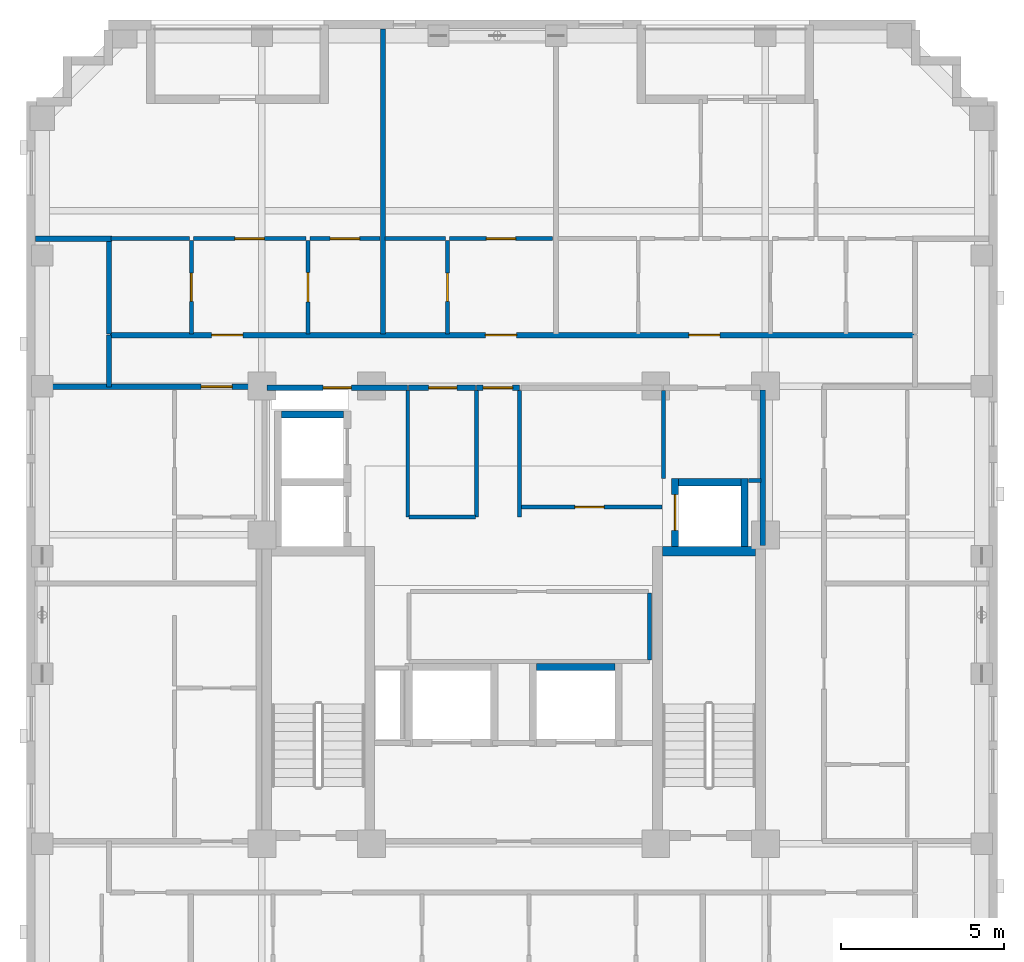
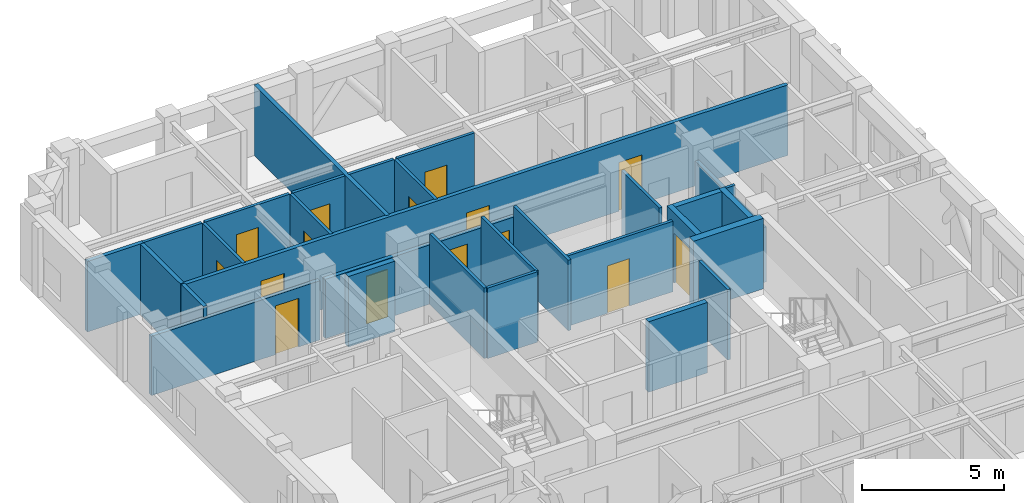
# One storey, part 5 of 11: 32 walls, 15 doors, 15 openings.
"""IFC4 building model written with IfcOpenShell, lengths in metres."""

from ifc_helpers import new_model, si_unit, derived_unit, direction, frame, frame_2d, origin, place, context, subcontext, project, spatial, rectangle, extrude, material, layer, layer_set, type_object, element, fill, save


model = new_model("IFC4")

# Units and contexts
model_context = context("Model", 3, precision=1e-05, world=origin(), true_north=direction((0.0, 1.0)))
body_context = subcontext(model_context, "Body", "Model", "MODEL_VIEW")
ifc_project = project(units=[si_unit("LENGTHUNIT", "METRE"), si_unit("AREAUNIT", "SQUARE_METRE"), si_unit("VOLUMEUNIT", "CUBIC_METRE"), si_unit("PLANEANGLEUNIT", "RADIAN"), si_unit("MASSUNIT", "GRAM", prefix="KILO"), derived_unit("THERMALTRANSMITTANCEUNIT", [(si_unit("MASSUNIT", "GRAM", prefix="KILO"), 1), (si_unit("TIMEUNIT", "SECOND"), -3), (si_unit("THERMODYNAMICTEMPERATUREUNIT", "KELVIN"), -1)])], contexts=[model_context])

# Site, building, storey
site_placement = place(None, origin())
site = spatial("IfcSite", under=ifc_project, at=site_placement, CompositionType="ELEMENT")
building_placement = place(site_placement, origin())
building = spatial("IfcBuilding", under=site, at=building_placement, Name="Korrvale Station Residences", CompositionType="ELEMENT")
storey_placement = place(building_placement, frame((0.0, 0.0, 187.60009765625)))
storey = spatial("IfcBuildingStorey", under=building, at=storey_placement, Name="L54", CompositionType="ELEMENT", Elevation=187.60009765625)

# Walls
ifc_material_1 = material(Name="Concrete C50/60", Category="concrete")
ifc_layer_1 = layer(ifc_material_1, 0.300048828125, Name="Concrete C50/60")
ifc_layer_set_1 = layer_set([ifc_layer_1], Name="Concrete C50/60")
wall_type_1 = type_object("IfcWallType", Name="WAL-CORE-300-C50", PredefinedType="SHEAR", material=ifc_layer_set_1)
wall_1_placement = place(storey_placement, frame((30.050048828125, 23.949951171875, 0.0), z_axis=(0.0, 0.0, 1.0), x_axis=(1.0, 0.0, 0.0)))
element("IfcWall", 1, at=wall_1_placement, inside=storey, type_object=wall_type_1, Name="L54 ST-2 Core Shear Wall North", PredefinedType="SHEAR", context=body_context, shape_type="SweptSolid", body=[
    extrude(rectangle(XDim=2.849853515625, YDim=0.300048828125, at=frame_2d((1.4248046875, 0.0))), origin(), (0.0, 0.0, 1.0), 3.039794921875),
])
ifc_material_2 = material(Name="Acoustic steel-stud gypsum board partition", Category="steel")
ifc_layer_2 = layer(ifc_material_2, 0.1201171875, Name="Acoustic steel-stud gypsum board partition")
ifc_layer_set_2 = layer_set([ifc_layer_2], Name="Acoustic steel-stud gypsum board partition")
wall_type_2 = type_object("IfcWallType", Name="WAL-PART-125", PredefinedType="PARTITIONING", material=ifc_layer_set_2)
for number, where, z_axis, x_axis, name in (
    (2, (24.360107421875, 25.0, 0.0), (0.0, 0.0, 1.0), (0.0, 1.0, 0.0), "L54 Core Partition CW-PSG-W"),
    (3, (25.679931640625, 25.0, 0.0), (0.0, 0.0, 1.0), (0.0, 1.0, 0.0), "L54 Core Partition CW-PSG-E"),
):
    element("IfcWall", number, at=place(storey_placement, frame(where, z_axis=z_axis, x_axis=x_axis)), inside=storey, type_object=wall_type_2, Name=name, PredefinedType="PARTITIONING", context=body_context, shape_type="SweptSolid", body=[
        extrude(rectangle(XDim=3.8701171875, YDim=0.1201171875, at=frame_2d((1.93505859375, 0.0))), origin(), (0.0, 0.0, 1.0), 3.039794921875),
    ])
wall_2_placement = place(storey_placement, frame((30.080078125, 26.179931640625, 0.0), z_axis=(0.0, 0.0, 1.0), x_axis=(0.0, 1.0, 0.0)))
element("IfcWall", 4, at=wall_2_placement, inside=storey, type_object=wall_type_2, Name="L54 Core Partition CW-CS-W", PredefinedType="PARTITIONING", context=body_context, shape_type="SweptSolid", body=[
    extrude(rectangle(XDim=2.68017578125, YDim=0.1201171875, at=frame_2d((1.340087890625, 0.0))), origin(), (0.0, 0.0, 1.0), 3.039794921875),
])
wall_3_placement = place(storey_placement, frame((32.679931640625, 26.1201171875, 0.0), z_axis=(0.0, 0.0, 1.0), x_axis=(1.0, 0.0, 0.0)))
element("IfcWall", 5, at=wall_3_placement, inside=storey, type_object=wall_type_2, Name="L54 Core Partition CW-CS-S", PredefinedType="PARTITIONING", context=body_context, shape_type="SweptSolid", body=[
    extrude(rectangle(XDim=0.380126953125, YDim=0.1201171875, at=frame_2d((0.18994140625, 0.0))), origin(), (0.0, 0.0, 1.0), 3.039794921875),
])
wall_4_placement = place(storey_placement, frame((22.260009765625, 25.0, 0.0), z_axis=(0.0, 0.0, 1.0), x_axis=(0.0, 1.0, 0.0)))
element("IfcWall", 6, at=wall_4_placement, inside=storey, type_object=wall_type_2, Name="L54 Core Partition CW-FPLW-W", PredefinedType="PARTITIONING", context=body_context, shape_type="SweptSolid", body=[
    extrude(rectangle(XDim=3.860107421875, YDim=0.1201171875, at=frame_2d((1.93017578125, 0.0))), origin(), (0.0, 0.0, 1.0), 3.039794921875),
])
wall_5_placement = place(storey_placement, frame((22.300048828125, 25.0, 0.0), z_axis=(0.0, 0.0, 1.0), x_axis=(1.0, 0.0, 0.0)))
element("IfcWall", 7, at=wall_5_placement, inside=storey, type_object=wall_type_2, Name="L54 Core Partition CW-FPLW-S", PredefinedType="PARTITIONING", context=body_context, shape_type="SweptSolid", body=[
    extrude(rectangle(XDim=2.0400390625, YDim=0.1201171875, at=frame_2d((1.02001953125, 0.0))), origin(), (0.0, 0.0, 1.0), 3.039794921875),
])

# Wall, opening, door
wall_6_placement = place(storey_placement, frame((25.719970703125, 25.300048828125, 0.0), z_axis=(0.0, 0.0, 1.0), x_axis=(1.0, 0.0, 0.0)))
wall_6 = element("IfcWall", 8, at=wall_6_placement, inside=storey, type_object=wall_type_2, Name="L54 Core Partition CW-FPLE-S", PredefinedType="PARTITIONING", context=body_context, shape_type="SweptSolid", body=[
    extrude(rectangle(XDim=4.320068359375, YDim=0.1201171875, at=frame_2d((2.16015625, 0.0))), origin(), (0.0, 0.0, 1.0), 3.039794921875),
])
opening_1_placement = place(wall_6_placement, frame((1.64990234375, 0.0, 0.0)))
opening_1 = element("IfcOpeningElement", 9, at=opening_1_placement, cuts=wall_6, Name="Opening DI-900", PredefinedType="OPENING", context=body_context, shape_type="SweptSolid", body=[
    extrude(rectangle(XDim=0.89990234375, YDim=2.050048828125, at=frame_2d((0.449951171875, 1.02490234375))), frame((0.0, 0.070068359375, 0.0), z_axis=(0.0, -1.0, 0.0), x_axis=(1.0, 0.0, 0.0)), (0.0, 0.0, 1.0), 0.14013671875),
])
ifc_material_3 = material(Name="Painted solid-core timber interior room door", Category="wood")
door_type_1 = type_object("IfcDoorType", Name="DR-INT-900", OperationType="NOTDEFINED", PredefinedType="DOOR", material=ifc_material_3)
door_1_placement = place(opening_1_placement, origin())
door_1 = element("IfcDoor", 10, at=door_1_placement, inside=storey, type_object=door_type_1, Name="L54 Housekeeping Linen Door", OperationType="SINGLE_SWING_LEFT", OverallHeight=2.050048828125, OverallWidth=0.89990234375, PredefinedType="DOOR", context=body_context, shape_type="SweptSolid", body=[
    extrude(rectangle(XDim=0.89990234375, YDim=2.050048828125, at=frame_2d((0.449951171875, 1.02490234375))), frame((0.0, 0.02490234375, 0.0), z_axis=(0.0, -1.0, 0.0), x_axis=(1.0, 0.0, 0.0)), (0.0, 0.0, 1.0), 0.050048828125),
])
fill(opening_1, door_1)

# Wall
wall_7_placement = place(storey_placement, frame((29.659912109375, 20.6201171875, 0.0), z_axis=(0.0, 0.0, 1.0), x_axis=(0.0, 1.0, 0.0)))
element("IfcWall", 11, at=wall_7_placement, inside=storey, type_object=wall_type_2, Name="L54 Core Partition CW-FPM-E", PredefinedType="PARTITIONING", context=body_context, shape_type="SweptSolid", body=[
    extrude(rectangle(XDim=2.059814453125, YDim=0.1201171875, at=frame_2d((1.02978515625, 0.0))), origin(), (0.0, 0.0, 1.0), 3.039794921875),
])

# Wall, opening, door
wall_8_placement = place(storey_placement, frame((15.639892578125, 30.60009765625, 0.0), z_axis=(0.0, 0.0, 1.0), x_axis=(0.0, 1.0, 0.0)))
wall_8 = element("IfcWall", 12, at=wall_8_placement, inside=storey, type_object=wall_type_2, Name="L54 Suite Partition U04-V01", PredefinedType="PARTITIONING", context=body_context, shape_type="SweptSolid", body=[
    extrude(rectangle(XDim=2.849853515625, YDim=0.1201171875, at=frame_2d((1.4248046875, 0.0))), origin(), (0.0, 0.0, 1.0), 3.039794921875),
])
opening_2_placement = place(wall_8_placement, frame((0.9951171875, 0.0, 0.0)))
opening_2 = element("IfcOpeningElement", 13, at=opening_2_placement, cuts=wall_8, Name="Opening DB-860", PredefinedType="OPENING", context=body_context, shape_type="SweptSolid", body=[
    extrude(rectangle(XDim=0.860107421875, YDim=2.050048828125, at=frame_2d((0.43017578125, 1.02490234375))), frame((0.0, 0.070068359375, 0.0), z_axis=(0.0, -1.0, 0.0), x_axis=(1.0, 0.0, 0.0)), (0.0, 0.0, 1.0), 0.14013671875),
])
ifc_material_4 = material(Name="Moisture-resistant solid-core bathroom door", Category="timber")
door_type_2 = type_object("IfcDoorType", Name="DR-BATH-860", OperationType="NOTDEFINED", PredefinedType="DOOR", material=ifc_material_4)
door_2_placement = place(opening_2_placement, origin())
door_2 = element("IfcDoor", 14, at=door_2_placement, inside=storey, type_object=door_type_2, Name="L54 Studio Apartment L54-U04 Bathroom Door", OperationType="SINGLE_SWING_LEFT", OverallHeight=2.050048828125, OverallWidth=0.860107421875, PredefinedType="DOOR", context=body_context, shape_type="SweptSolid", body=[
    extrude(rectangle(XDim=0.860107421875, YDim=2.050048828125, at=frame_2d((0.43017578125, 1.02490234375))), frame((0.0, 0.02490234375, 0.0), z_axis=(0.0, -1.0, 0.0), x_axis=(1.0, 0.0, 0.0)), (0.0, 0.0, 1.0), 0.050048828125),
])
fill(opening_2, door_2)

# Wall
wall_9_placement = place(storey_placement, frame((13.179931640625, 33.510009765625, 0.0), z_axis=(0.0, 0.0, 1.0), x_axis=(1.0, 0.0, 0.0)))
element("IfcWall", 15, at=wall_9_placement, inside=storey, type_object=wall_type_2, Name="L54 Suite Partition U04-H03", PredefinedType="PARTITIONING", context=body_context, shape_type="SweptSolid", body=[
    extrude(rectangle(XDim=2.400146484375, YDim=0.1201171875, at=frame_2d((1.2001953125, 0.0))), origin(), (0.0, 0.0, 1.0), 3.039794921875),
])

# Wall, opening, door
wall_10_placement = place(storey_placement, frame((19.2099609375, 30.60009765625, 0.0), z_axis=(0.0, 0.0, 1.0), x_axis=(0.0, 1.0, 0.0)))
wall_10 = element("IfcWall", 16, at=wall_10_placement, inside=storey, type_object=wall_type_2, Name="L54 Suite Partition U04-V12", PredefinedType="PARTITIONING", context=body_context, shape_type="SweptSolid", body=[
    extrude(rectangle(XDim=2.849853515625, YDim=0.1201171875, at=frame_2d((1.4248046875, 0.0))), origin(), (0.0, 0.0, 1.0), 3.039794921875),
])
opening_3_placement = place(wall_10_placement, frame((0.97509765625, 0.0, 0.0)))
opening_3 = element("IfcOpeningElement", 17, at=opening_3_placement, cuts=wall_10, Name="Opening DI-900", PredefinedType="OPENING", context=body_context, shape_type="SweptSolid", body=[
    extrude(rectangle(XDim=0.89990234375, YDim=2.050048828125, at=frame_2d((0.449951171875, 1.02490234375))), frame((0.0, 0.070068359375, 0.0), z_axis=(0.0, -1.0, 0.0), x_axis=(1.0, 0.0, 0.0)), (0.0, 0.0, 1.0), 0.14013671875),
])
door_3_placement = place(opening_3_placement, origin())
door_3 = element("IfcDoor", 18, at=door_3_placement, inside=storey, type_object=door_type_1, Name="L54 Studio Apartment L54-U04 Kitchen Door", OperationType="SINGLE_SWING_RIGHT", OverallHeight=2.050048828125, OverallWidth=0.89990234375, PredefinedType="DOOR", context=body_context, shape_type="SweptSolid", body=[
    extrude(rectangle(XDim=0.89990234375, YDim=2.050048828125, at=frame_2d((0.449951171875, 1.02490234375))), frame((0.0, 0.02490234375, 0.0), z_axis=(0.0, -1.0, 0.0), x_axis=(1.0, 0.0, 0.0)), (0.0, 0.0, 1.0), 0.050048828125),
])
fill(opening_3, door_3)

wall_11_placement = place(storey_placement, frame((15.699951171875, 33.510009765625, 0.0), z_axis=(0.0, 0.0, 1.0), x_axis=(1.0, 0.0, 0.0)))
wall_11 = element("IfcWall", 19, at=wall_11_placement, inside=storey, type_object=wall_type_2, Name="L54 Suite Partition U04-H13", PredefinedType="PARTITIONING", context=body_context, shape_type="SweptSolid", body=[
    extrude(rectangle(XDim=3.449951171875, YDim=0.1201171875, at=frame_2d((1.72509765625, 0.0))), origin(), (0.0, 0.0, 1.0), 3.039794921875),
])
opening_4_placement = place(wall_11_placement, frame((1.27490234375, 0.0, 0.0)))
opening_4 = element("IfcOpeningElement", 20, at=opening_4_placement, cuts=wall_11, Name="Opening DI-900", PredefinedType="OPENING", context=body_context, shape_type="SweptSolid", body=[
    extrude(rectangle(XDim=0.89990234375, YDim=2.050048828125, at=frame_2d((0.449951171875, 1.02490234375))), frame((0.0, 0.070068359375, 0.0), z_axis=(0.0, -1.0, 0.0), x_axis=(1.0, 0.0, 0.0)), (0.0, 0.0, 1.0), 0.14013671875),
])
door_4_placement = place(opening_4_placement, origin())
door_4 = element("IfcDoor", 21, at=door_4_placement, inside=storey, type_object=door_type_1, Name="L54 Studio Apartment L54-U04 Kitchen Door", OperationType="SINGLE_SWING_LEFT", OverallHeight=2.050048828125, OverallWidth=0.89990234375, PredefinedType="DOOR", context=body_context, shape_type="SweptSolid", body=[
    extrude(rectangle(XDim=0.89990234375, YDim=2.050048828125, at=frame_2d((0.449951171875, 1.02490234375))), frame((0.0, 0.02490234375, 0.0), z_axis=(0.0, -1.0, 0.0), x_axis=(1.0, 0.0, 0.0)), (0.0, 0.0, 1.0), 0.050048828125),
])
fill(opening_4, door_4)

wall_12_placement = place(storey_placement, frame((19.27001953125, 33.510009765625, 0.0), z_axis=(0.0, 0.0, 1.0), x_axis=(1.0, 0.0, 0.0)))
wall_12 = element("IfcWall", 22, at=wall_12_placement, inside=storey, type_object=wall_type_2, Name="L54 Suite Partition U04-H23", PredefinedType="PARTITIONING", context=body_context, shape_type="SweptSolid", body=[
    extrude(rectangle(XDim=2.135009765625, YDim=0.1201171875, at=frame_2d((1.0673828125, 0.0))), origin(), (0.0, 0.0, 1.0), 3.039794921875),
])
opening_5_placement = place(wall_12_placement, frame((0.616943359375, 0.0, 0.0)))
opening_5 = element("IfcOpeningElement", 23, at=opening_5_placement, cuts=wall_12, Name="Opening DI-900", PredefinedType="OPENING", context=body_context, shape_type="SweptSolid", body=[
    extrude(rectangle(XDim=0.89990234375, YDim=2.050048828125, at=frame_2d((0.449951171875, 1.02490234375))), frame((0.0, 0.070068359375, 0.0), z_axis=(0.0, -1.0, 0.0), x_axis=(1.0, 0.0, 0.0)), (0.0, 0.0, 1.0), 0.14013671875),
])
door_5_placement = place(opening_5_placement, origin())
door_5 = element("IfcDoor", 24, at=door_5_placement, inside=storey, type_object=door_type_1, Name="L54 Studio Apartment L54-U04 Utility and Laundry Room Door", OperationType="SINGLE_SWING_RIGHT", OverallHeight=2.050048828125, OverallWidth=0.89990234375, PredefinedType="DOOR", context=body_context, shape_type="SweptSolid", body=[
    extrude(rectangle(XDim=0.89990234375, YDim=2.050048828125, at=frame_2d((0.449951171875, 1.02490234375))), frame((0.0, 0.02490234375, 0.0), z_axis=(0.0, -1.0, 0.0), x_axis=(1.0, 0.0, 0.0)), (0.0, 0.0, 1.0), 0.050048828125),
])
fill(opening_5, door_5)

wall_13_placement = place(storey_placement, frame((23.47509765625, 30.60009765625, 0.0), z_axis=(0.0, 0.0, 1.0), x_axis=(0.0, 1.0, 0.0)))
wall_13 = element("IfcWall", 25, at=wall_13_placement, inside=storey, type_object=wall_type_2, Name="L54 Suite Partition U05-V01", PredefinedType="PARTITIONING", context=body_context, shape_type="SweptSolid", body=[
    extrude(rectangle(XDim=2.849853515625, YDim=0.1201171875, at=frame_2d((1.4248046875, 0.0))), origin(), (0.0, 0.0, 1.0), 3.039794921875),
])
opening_6_placement = place(wall_13_placement, frame((0.9951171875, 0.0, 0.0)))
opening_6 = element("IfcOpeningElement", 26, at=opening_6_placement, cuts=wall_13, Name="Opening DB-860", PredefinedType="OPENING", context=body_context, shape_type="SweptSolid", body=[
    extrude(rectangle(XDim=0.860107421875, YDim=2.050048828125, at=frame_2d((0.43017578125, 1.02490234375))), frame((0.0, 0.070068359375, 0.0), z_axis=(0.0, -1.0, 0.0), x_axis=(1.0, 0.0, 0.0)), (0.0, 0.0, 1.0), 0.14013671875),
])
door_6_placement = place(opening_6_placement, origin())
door_6 = element("IfcDoor", 27, at=door_6_placement, inside=storey, type_object=door_type_2, Name="L54 Studio Apartment L54-U05 Bathroom Door", OperationType="SINGLE_SWING_LEFT", OverallHeight=2.050048828125, OverallWidth=0.860107421875, PredefinedType="DOOR", context=body_context, shape_type="SweptSolid", body=[
    extrude(rectangle(XDim=0.860107421875, YDim=2.050048828125, at=frame_2d((0.43017578125, 1.02490234375))), frame((0.0, 0.02490234375, 0.0), z_axis=(0.0, -1.0, 0.0), x_axis=(1.0, 0.0, 0.0)), (0.0, 0.0, 1.0), 0.050048828125),
])
fill(opening_6, door_6)

# Wall
wall_14_placement = place(storey_placement, frame((21.56494140625, 33.510009765625, 0.0), z_axis=(0.0, 0.0, 1.0), x_axis=(1.0, 0.0, 0.0)))
element("IfcWall", 28, at=wall_14_placement, inside=storey, type_object=wall_type_2, Name="L54 Suite Partition U05-H02", PredefinedType="PARTITIONING", context=body_context, shape_type="SweptSolid", body=[
    extrude(rectangle(XDim=1.85009765625, YDim=0.1201171875, at=frame_2d((0.925048828125, 0.0))), origin(), (0.0, 0.0, 1.0), 3.039794921875),
])

# Wall, opening, door
wall_15_placement = place(storey_placement, frame((23.534912109375, 33.510009765625, 0.0), z_axis=(0.0, 0.0, 1.0), x_axis=(1.0, 0.0, 0.0)))
wall_15 = element("IfcWall", 29, at=wall_15_placement, inside=storey, type_object=wall_type_2, Name="L54 Suite Partition U05-H12", PredefinedType="PARTITIONING", context=body_context, shape_type="SweptSolid", body=[
    extrude(rectangle(XDim=3.156982421875, YDim=0.1201171875, at=frame_2d((1.57861328125, 0.0))), origin(), (0.0, 0.0, 1.0), 3.039794921875),
])
opening_7_placement = place(wall_15_placement, frame((1.12890625, 0.0, 0.0)))
opening_7 = element("IfcOpeningElement", 30, at=opening_7_placement, cuts=wall_15, Name="Opening DI-900", PredefinedType="OPENING", context=body_context, shape_type="SweptSolid", body=[
    extrude(rectangle(XDim=0.89990234375, YDim=2.050048828125, at=frame_2d((0.449951171875, 1.02490234375))), frame((0.0, 0.070068359375, 0.0), z_axis=(0.0, -1.0, 0.0), x_axis=(1.0, 0.0, 0.0)), (0.0, 0.0, 1.0), 0.14013671875),
])
door_7_placement = place(opening_7_placement, origin())
door_7 = element("IfcDoor", 31, at=door_7_placement, inside=storey, type_object=door_type_1, Name="L54 Studio Apartment L54-U05 Kitchen Door", OperationType="SINGLE_SWING_RIGHT", OverallHeight=2.050048828125, OverallWidth=0.89990234375, PredefinedType="DOOR", context=body_context, shape_type="SweptSolid", body=[
    extrude(rectangle(XDim=0.89990234375, YDim=2.050048828125, at=frame_2d((0.449951171875, 1.02490234375))), frame((0.0, 0.02490234375, 0.0), z_axis=(0.0, -1.0, 0.0), x_axis=(1.0, 0.0, 0.0)), (0.0, 0.0, 1.0), 0.050048828125),
])
fill(opening_7, door_7)

# Wall
ifc_material_5 = material(Name="Fire-rated twin-stud gypsum and mineral wool shaftwall assembly", Category="gypsum")
ifc_layer_3 = layer(ifc_material_5, 0.159912109375, Name="Fire-rated twin-stud gypsum and mineral wool shaftwall assembly")
ifc_layer_set_3 = layer_set([ifc_layer_3], Name="Fire-rated twin-stud gypsum and mineral wool shaftwall assembly")
wall_type_3 = type_object("IfcWallType", Name="WAL-PART-200", PredefinedType="PARTITIONING", material=ifc_layer_set_3)
wall_16_placement = place(storey_placement, frame((33.1201171875, 24.1201171875, 0.0), z_axis=(0.0, 0.0, 1.0), x_axis=(0.0, 1.0, 0.0)))
element("IfcWall", 32, at=wall_16_placement, inside=storey, type_object=wall_type_3, Name="L54 Core Partition CW-E-N", PredefinedType="PARTITIONING", context=body_context, shape_type="SweptSolid", body=[
    extrude(rectangle(XDim=4.759765625, YDim=0.159912109375, at=frame_2d((2.3798828125, 0.0))), origin(), (0.0, 0.0, 1.0), 2.375),
])

# Wall, opening, door
wall_17_placement = place(storey_placement, frame((24.360107421875, 28.949951171875, 0.0), z_axis=(0.0, 0.0, 1.0), x_axis=(1.0, 0.0, 0.0)))
wall_17 = element("IfcWall", 33, at=wall_17_placement, inside=storey, type_object=wall_type_3, Name="L54 Core Partition CW-LLOB-N", PredefinedType="PARTITIONING", context=body_context, shape_type="SweptSolid", body=[
    extrude(rectangle(XDim=1.31982421875, YDim=0.159912109375, at=frame_2d((0.659912109375, 0.0))), origin(), (0.0, 0.0, 1.0), 2.555908203125),
])
opening_8_placement = place(wall_17_placement, frame((0.2099609375, 0.0, 0.0)))
opening_8 = element("IfcOpeningElement", 34, at=opening_8_placement, cuts=wall_17, Name="Opening DI-900", PredefinedType="OPENING", context=body_context, shape_type="SweptSolid", body=[
    extrude(rectangle(XDim=0.89990234375, YDim=2.050048828125, at=frame_2d((0.449951171875, 1.02490234375))), frame((0.0, 0.08984375, 0.0), z_axis=(0.0, -1.0, 0.0), x_axis=(1.0, 0.0, 0.0)), (0.0, 0.0, 1.0), 0.179931640625),
])
door_8_placement = place(opening_8_placement, origin())
door_8 = element("IfcDoor", 35, at=door_8_placement, inside=storey, type_object=door_type_1, Name="L54 Central Hallway North Passage Door", OperationType="SINGLE_SWING_LEFT", OverallHeight=2.050048828125, OverallWidth=0.89990234375, PredefinedType="DOOR", context=body_context, shape_type="SweptSolid", body=[
    extrude(rectangle(XDim=0.89990234375, YDim=2.050048828125, at=frame_2d((0.449951171875, 1.02490234375))), frame((0.0, 0.02490234375, 0.0), z_axis=(0.0, -1.0, 0.0), x_axis=(1.0, 0.0, 0.0)), (0.0, 0.0, 1.0), 0.050048828125),
])
fill(opening_8, door_8)

wall_18_placement = place(storey_placement, frame((17.9599609375, 28.949951171875, 0.0), z_axis=(0.0, 0.0, 1.0), x_axis=(1.0, 0.0, 0.0)))
wall_18 = element("IfcWall", 36, at=wall_18_placement, inside=storey, type_object=wall_type_3, Name="L54 Core Partition CW-NW", PredefinedType="PARTITIONING", context=body_context, shape_type="SweptSolid", body=[
    extrude(rectangle(XDim=4.2900390625, YDim=0.159912109375, at=frame_2d((2.14501953125, 0.0))), origin(), (0.0, 0.0, 1.0), 2.555908203125),
])
opening_9_placement = place(wall_18_placement, frame((1.715087890625, 0.0, 0.0)))
opening_9 = element("IfcOpeningElement", 37, at=opening_9_placement, cuts=wall_18, Name="Opening DB-860", PredefinedType="OPENING", context=body_context, shape_type="SweptSolid", body=[
    extrude(rectangle(XDim=0.860107421875, YDim=2.050048828125, at=frame_2d((0.43017578125, 1.02490234375))), frame((0.0, 0.08984375, 0.0), z_axis=(0.0, -1.0, 0.0), x_axis=(1.0, 0.0, 0.0)), (0.0, 0.0, 1.0), 0.179931640625),
])
door_9_placement = place(opening_9_placement, origin())
door_9 = element("IfcDoor", 38, at=door_9_placement, inside=storey, type_object=door_type_2, Name="L54 Electrical Riser Access Door", OperationType="SINGLE_SWING_RIGHT", OverallHeight=2.050048828125, OverallWidth=0.860107421875, PredefinedType="DOOR", context=body_context, shape_type="SweptSolid", body=[
    extrude(rectangle(XDim=0.860107421875, YDim=2.050048828125, at=frame_2d((0.43017578125, 1.02490234375))), frame((0.0, 0.02490234375, 0.0), z_axis=(0.0, -1.0, 0.0), x_axis=(1.0, 0.0, 0.0)), (0.0, 0.0, 1.0), 0.050048828125),
])
fill(opening_9, door_9)

wall_19_placement = place(storey_placement, frame((22.280029296875, 28.949951171875, 0.0), z_axis=(0.0, 0.0, 1.0), x_axis=(1.0, 0.0, 0.0)))
wall_19 = element("IfcWall", 39, at=wall_19_placement, inside=storey, type_object=wall_type_3, Name="L54 Core Partition CW-FPLW-N", PredefinedType="PARTITIONING", context=body_context, shape_type="SweptSolid", body=[
    extrude(rectangle(XDim=2.06005859375, YDim=0.159912109375, at=frame_2d((1.030029296875, 0.0))), origin(), (0.0, 0.0, 1.0), 2.555908203125),
])
opening_10_placement = place(wall_19_placement, frame((0.6201171875, 0.0, 0.0)))
opening_10 = element("IfcOpeningElement", 40, at=opening_10_placement, cuts=wall_19, Name="Opening DB-860", PredefinedType="OPENING", context=body_context, shape_type="SweptSolid", body=[
    extrude(rectangle(XDim=0.860107421875, YDim=2.050048828125, at=frame_2d((0.43017578125, 1.02490234375))), frame((0.0, 0.08984375, 0.0), z_axis=(0.0, -1.0, 0.0), x_axis=(1.0, 0.0, 0.0)), (0.0, 0.0, 1.0), 0.179931640625),
])
door_10_placement = place(opening_10_placement, origin())
door_10 = element("IfcDoor", 41, at=door_10_placement, inside=storey, type_object=door_type_2, Name="L54 Resident Parcel Room Door", OperationType="SINGLE_SWING_RIGHT", OverallHeight=2.050048828125, OverallWidth=0.860107421875, PredefinedType="DOOR", context=body_context, shape_type="SweptSolid", body=[
    extrude(rectangle(XDim=0.860107421875, YDim=2.050048828125, at=frame_2d((0.43017578125, 1.02490234375))), frame((0.0, 0.02490234375, 0.0), z_axis=(0.0, -1.0, 0.0), x_axis=(1.0, 0.0, 0.0)), (0.0, 0.0, 1.0), 0.050048828125),
])
fill(opening_10, door_10)

# Walls
wall_20_placement = place(storey_placement, frame((13.1201171875, 28.97998046875, 0.0), z_axis=(0.0, 0.0, 1.0), x_axis=(0.0, 1.0, 0.0)))
element("IfcWall", 42, at=wall_20_placement, inside=storey, type_object=wall_type_3, Name="L54 Corridor North West Cap", PredefinedType="PARTITIONING", context=body_context, shape_type="SweptSolid", body=[
    extrude(rectangle(XDim=1.580078125, YDim=0.159912109375, at=frame_2d((0.7900390625, 0.0))), origin(), (0.0, 0.0, 1.0), 3.039794921875),
])
wall_21_placement = place(storey_placement, frame((10.8798828125, 33.510009765625, 0.0), z_axis=(0.0, 0.0, 1.0), x_axis=(1.0, 0.0, 0.0)))
element("IfcWall", 43, at=wall_21_placement, inside=storey, type_object=wall_type_3, Name="L54 Corner Step Wall U04-L", PredefinedType="PARTITIONING", context=body_context, shape_type="SweptSolid", body=[
    extrude(rectangle(XDim=2.340087890625, YDim=0.159912109375, at=frame_2d((1.169921875, 0.0))), origin(), (0.0, 0.0, 1.0), 3.039794921875),
])
wall_22_placement = place(storey_placement, frame((13.1201171875, 30.60009765625, 0.0), z_axis=(0.0, 0.0, 1.0), x_axis=(0.0, 1.0, 0.0)))
element("IfcWall", 44, at=wall_22_placement, inside=storey, type_object=wall_type_3, Name="L54 Corner Step Cheek U04-L", PredefinedType="PARTITIONING", context=body_context, shape_type="SweptSolid", body=[
    extrude(rectangle(XDim=2.909912109375, YDim=0.159912109375, at=frame_2d((1.455078125, 0.0))), origin(), (0.0, 0.0, 1.0), 3.039794921875),
])
wall_23_placement = place(storey_placement, frame((21.5048828125, 30.60009765625, 0.0), z_axis=(0.0, 0.0, 1.0), x_axis=(0.0, 1.0, 0.0)))
element("IfcWall", 45, at=wall_23_placement, inside=storey, type_object=wall_type_3, Name="L54 Demising Wall U05-W", PredefinedType="PARTITIONING", context=body_context, shape_type="SweptSolid", body=[
    extrude(rectangle(XDim=9.31982421875, YDim=0.159912109375, at=frame_2d((4.659912109375, 0.0))), origin(), (0.0, 0.0, 1.0), 3.039794921875),
])

# Wall, opening, door
wall_24_placement = place(storey_placement, frame((10.8798828125, 28.97998046875, 0.0), z_axis=(0.0, 0.0, 1.0), x_axis=(1.0, 0.0, 0.0)))
wall_24 = element("IfcWall", 46, at=wall_24_placement, inside=storey, type_object=wall_type_3, Name="L54 Side Suite North Entry Wall U08", PredefinedType="PARTITIONING", context=body_context, shape_type="SweptSolid", body=[
    extrude(rectangle(XDim=6.880126953125, YDim=0.159912109375, at=frame_2d((3.43994140625, 0.0))), origin(), (0.0, 0.0, 1.0), 2.555908203125),
])
opening_11_placement = place(wall_24_placement, frame((5.06005859375, 0.0, 0.0)))
opening_11 = element("IfcOpeningElement", 47, at=opening_11_placement, cuts=wall_24, Name="Opening UD-950", PredefinedType="OPENING", context=body_context, shape_type="SweptSolid", body=[
    extrude(rectangle(XDim=0.949951171875, YDim=2.10009765625, at=frame_2d((0.47509765625, 1.050048828125))), frame((0.0, 0.08984375, 0.0), z_axis=(0.0, -1.0, 0.0), x_axis=(1.0, 0.0, 0.0)), (0.0, 0.0, 1.0), 0.179931640625),
])
ifc_material_6 = material(Name="Solid-core acoustic oak apartment entrance door", Category="timber")
door_type_3 = type_object("IfcDoorType", Name="DR-UNIT-950", OperationType="NOTDEFINED", PredefinedType="DOOR", material=ifc_material_6)
door_11_placement = place(opening_11_placement, origin())
door_11 = element("IfcDoor", 48, at=door_11_placement, inside=storey, type_object=door_type_3, Name="L54 Apartment L54-U08 Entrance Door", OperationType="SINGLE_SWING_LEFT", OverallHeight=2.10009765625, OverallWidth=0.949951171875, PredefinedType="DOOR", context=body_context, shape_type="SweptSolid", body=[
    extrude(rectangle(XDim=0.949951171875, YDim=2.10009765625, at=frame_2d((0.47509765625, 1.050048828125))), frame((0.0, 0.02490234375, 0.0), z_axis=(0.0, -1.0, 0.0), x_axis=(1.0, 0.0, 0.0)), (0.0, 0.0, 1.0), 0.050048828125),
])
fill(opening_11, door_11)

# Wall, openings, doors
wall_25_placement = place(storey_placement, frame((13.14990234375, 30.56005859375, 0.0), z_axis=(0.0, 0.0, 1.0), x_axis=(1.0, 0.0, 0.0)))
wall_25 = element("IfcWall", 49, at=wall_25_placement, inside=storey, type_object=wall_type_3, Name="L54 Rated Corridor Wall N", PredefinedType="PARTITIONING", context=body_context, shape_type="SweptSolid", body=[
    extrude(rectangle(XDim=24.60009765625, YDim=0.159912109375, at=frame_2d((12.300048828125, 0.0))), origin(), (0.0, 0.0, 1.0), 3.039794921875),
])
opening_12_placement = place(wall_25_placement, frame((3.114990234375, 0.0, 0.0)))
opening_12 = element("IfcOpeningElement", 50, at=opening_12_placement, cuts=wall_25, Name="Opening UD-950", PredefinedType="OPENING", context=body_context, shape_type="SweptSolid", body=[
    extrude(rectangle(XDim=0.949951171875, YDim=2.10009765625, at=frame_2d((0.47509765625, 1.050048828125))), frame((0.0, 0.08984375, 0.0), z_axis=(0.0, -1.0, 0.0), x_axis=(1.0, 0.0, 0.0)), (0.0, 0.0, 1.0), 0.179931640625),
])
opening_13_placement = place(wall_25_placement, frame((11.489013671875, 0.0, 0.0)))
opening_13 = element("IfcOpeningElement", 51, at=opening_13_placement, cuts=wall_25, Name="Opening UD-950", PredefinedType="OPENING", context=body_context, shape_type="SweptSolid", body=[
    extrude(rectangle(XDim=0.949951171875, YDim=2.10009765625, at=frame_2d((0.47509765625, 1.050048828125))), frame((0.0, 0.08984375, 0.0), z_axis=(0.0, -1.0, 0.0), x_axis=(1.0, 0.0, 0.0)), (0.0, 0.0, 1.0), 0.179931640625),
])
opening_14_placement = place(wall_25_placement, frame((17.70703125, 0.0, 0.0)))
opening_14 = element("IfcOpeningElement", 52, at=opening_14_placement, cuts=wall_25, Name="Opening UD-950", PredefinedType="OPENING", context=body_context, shape_type="SweptSolid", body=[
    extrude(rectangle(XDim=0.949951171875, YDim=2.10009765625, at=frame_2d((0.47509765625, 1.050048828125))), frame((0.0, 0.08984375, 0.0), z_axis=(0.0, -1.0, 0.0), x_axis=(1.0, 0.0, 0.0)), (0.0, 0.0, 1.0), 0.179931640625),
])
door_12_placement = place(opening_12_placement, origin())
door_12 = element("IfcDoor", 53, at=door_12_placement, inside=storey, type_object=door_type_3, Name="L54 Apartment L54-U04 Entrance Door", OperationType="SINGLE_SWING_LEFT", OverallHeight=2.10009765625, OverallWidth=0.949951171875, PredefinedType="DOOR", context=body_context, shape_type="SweptSolid", body=[
    extrude(rectangle(XDim=0.949951171875, YDim=2.10009765625, at=frame_2d((0.47509765625, 1.050048828125))), frame((0.0, 0.02490234375, 0.0), z_axis=(0.0, -1.0, 0.0), x_axis=(1.0, 0.0, 0.0)), (0.0, 0.0, 1.0), 0.050048828125),
])
fill(opening_12, door_12)
door_13_placement = place(opening_13_placement, origin())
door_13 = element("IfcDoor", 54, at=door_13_placement, inside=storey, type_object=door_type_3, Name="L54 Apartment L54-U05 Entrance Door", OperationType="SINGLE_SWING_RIGHT", OverallHeight=2.10009765625, OverallWidth=0.949951171875, PredefinedType="DOOR", context=body_context, shape_type="SweptSolid", body=[
    extrude(rectangle(XDim=0.949951171875, YDim=2.10009765625, at=frame_2d((0.47509765625, 1.050048828125))), frame((0.0, 0.02490234375, 0.0), z_axis=(0.0, -1.0, 0.0), x_axis=(1.0, 0.0, 0.0)), (0.0, 0.0, 1.0), 0.050048828125),
])
fill(opening_13, door_13)
door_14_placement = place(opening_14_placement, origin())
door_14 = element("IfcDoor", 55, at=door_14_placement, inside=storey, type_object=door_type_3, Name="L54 Apartment L54-U06 Entrance Door", OperationType="SINGLE_SWING_LEFT", OverallHeight=2.10009765625, OverallWidth=0.949951171875, PredefinedType="DOOR", context=body_context, shape_type="SweptSolid", body=[
    extrude(rectangle(XDim=0.949951171875, YDim=2.10009765625, at=frame_2d((0.47509765625, 1.050048828125))), frame((0.0, 0.02490234375, 0.0), z_axis=(0.0, -1.0, 0.0), x_axis=(1.0, 0.0, 0.0)), (0.0, 0.0, 1.0), 0.050048828125),
])
fill(opening_14, door_14)

# Walls
ifc_layer_4 = layer(ifc_material_1, 0.219970703125, Name="Concrete C50/60")
ifc_layer_set_4 = layer_set([ifc_layer_4], Name="Concrete C50/60")
wall_type_4 = type_object("IfcWallType", Name="WAL-SHAFT-220-C50", PredefinedType="SHEAR", material=ifc_layer_set_4)
wall_26_placement = place(storey_placement, frame((18.39990234375, 28.1298828125, 0.0), z_axis=(0.0, 0.0, 1.0), x_axis=(1.0, 0.0, 0.0)))
element("IfcWall", 56, at=wall_26_placement, inside=storey, type_object=wall_type_4, Name="L54 Elevator PH-2 Hoistway Wall North", PredefinedType="SHEAR", context=body_context, shape_type="SweptSolid", body=[
    extrude(rectangle(XDim=1.900146484375, YDim=0.219970703125, at=frame_2d((0.9501953125, 0.0))), origin(), (0.0, 0.0, 1.0), 3.039794921875),
])
wall_27_placement = place(storey_placement, frame((30.550048828125, 26.06005859375, 0.0), z_axis=(0.0, 0.0, 1.0), x_axis=(1.0, 0.0, 0.0)))
element("IfcWall", 57, at=wall_27_placement, inside=storey, type_object=wall_type_4, Name="L54 Elevator PH-3 Hoistway Wall North", PredefinedType="SHEAR", context=body_context, shape_type="SweptSolid", body=[
    extrude(rectangle(XDim=1.89990234375, YDim=0.219970703125, at=frame_2d((0.949951171875, 0.0))), origin(), (0.0, 0.0, 1.0), 3.039794921875),
])

# Wall, opening, door
wall_28_placement = place(storey_placement, frame((30.43994140625, 24.10009765625, 0.0), z_axis=(0.0, 0.0, 1.0), x_axis=(0.0, 1.0, 0.0)))
wall_28 = element("IfcWall", 58, at=wall_28_placement, inside=storey, type_object=wall_type_4, Name="L54 Elevator PH-3 Hoistway Wall West", PredefinedType="SHEAR", context=body_context, shape_type="SweptSolid", body=[
    extrude(rectangle(XDim=2.06982421875, YDim=0.219970703125, at=frame_2d((1.034912109375, 0.0))), origin(), (0.0, 0.0, 1.0), 3.039794921875),
])
opening_15_placement = place(wall_28_placement, frame((0.485107421875, 0.0, 0.0)))
opening_15 = element("IfcOpeningElement", 59, at=opening_15_placement, cuts=wall_28, Name="Opening LD-1100", PredefinedType="OPENING", context=body_context, shape_type="SweptSolid", body=[
    extrude(rectangle(XDim=1.10009765625, YDim=2.14990234375, at=frame_2d((0.550048828125, 1.074951171875))), frame((0.0, 0.1201171875, 0.0), z_axis=(0.0, -1.0, 0.0), x_axis=(1.0, 0.0, 0.0)), (0.0, 0.0, 1.0), 0.239990234375),
])
ifc_material_7 = material(Name="Brushed stainless-steel elevator landing sliding door", Category="steel")
door_type_4 = type_object("IfcDoorType", Name="DR-LIFT-1100", OperationType="SLIDING_TO_LEFT", PredefinedType="DOOR", material=ifc_material_7)
door_15_placement = place(opening_15_placement, origin())
door_15 = element("IfcDoor", 60, at=door_15_placement, inside=storey, type_object=door_type_4, Name="L54 Elevator PH-3 Sliding Landing Door", OperationType="SLIDING_TO_LEFT", OverallHeight=2.14990234375, OverallWidth=1.10009765625, PredefinedType="DOOR", context=body_context, shape_type="SweptSolid", body=[
    extrude(rectangle(XDim=1.10009765625, YDim=2.14990234375, at=frame_2d((0.550048828125, 1.074951171875))), frame((0.0, 0.02490234375, 0.0), z_axis=(0.0, -1.0, 0.0), x_axis=(1.0, 0.0, 0.0)), (0.0, 0.0, 1.0), 0.050048828125),
])
fill(opening_15, door_15)

# Walls
wall_29_placement = place(storey_placement, frame((32.56005859375, 24.10009765625, 0.0), z_axis=(0.0, 0.0, 1.0), x_axis=(0.0, 1.0, 0.0)))
element("IfcWall", 61, at=wall_29_placement, inside=storey, type_object=wall_type_4, Name="L54 Elevator PH-3 Hoistway Wall East", PredefinedType="SHEAR", context=body_context, shape_type="SweptSolid", body=[
    extrude(rectangle(XDim=2.06982421875, YDim=0.219970703125, at=frame_2d((1.034912109375, 0.0))), origin(), (0.0, 0.0, 1.0), 3.039794921875),
])
wall_30_placement = place(storey_placement, frame((26.199951171875, 20.409912109375, 0.0), z_axis=(0.0, 0.0, 1.0), x_axis=(1.0, 0.0, 0.0)))
element("IfcWall", 62, at=wall_30_placement, inside=storey, type_object=wall_type_4, Name="L54 Elevator FFL-2 Hoistway Wall North", PredefinedType="SHEAR", context=body_context, shape_type="SweptSolid", body=[
    extrude(rectangle(XDim=2.400146484375, YDim=0.219970703125, at=frame_2d((1.2001953125, 0.0))), origin(), (0.0, 0.0, 1.0), 3.039794921875),
])

save(model, "model.ifc")
